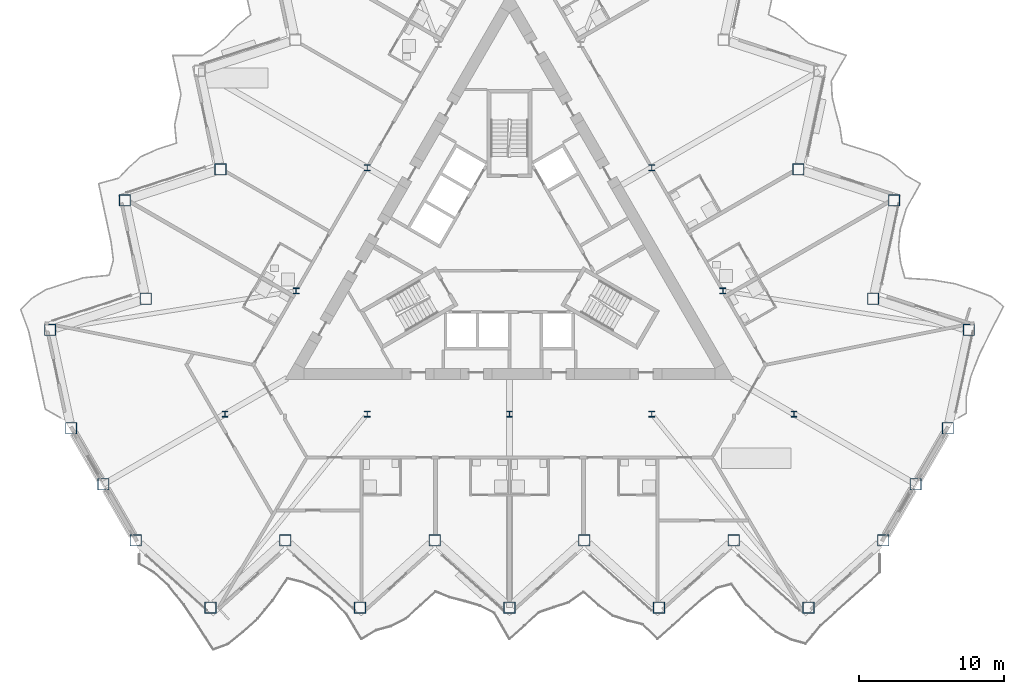
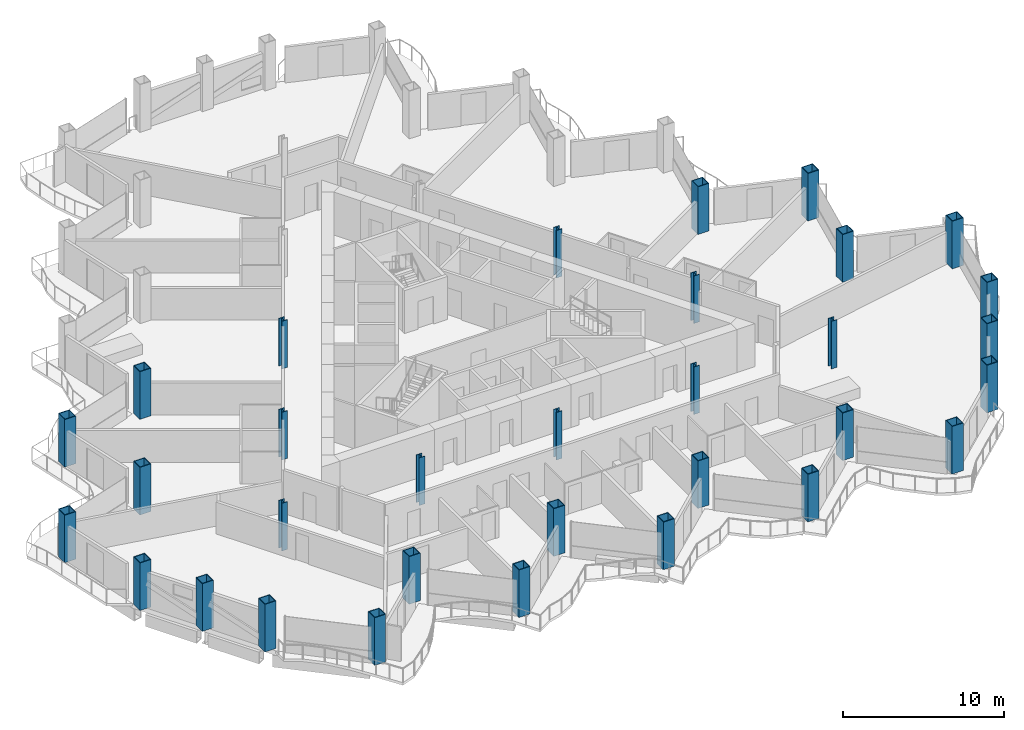
# One storey, part 1 of 23: 32 columns.
"""IFC4 building model written with IfcOpenShell, lengths in metres."""

from ifc_helpers import new_model, si_unit, direction, frame, origin, origin_2d, place, context, subcontext, project, spatial, hollow_rectangle, i_section, extrude, material, material_profile, profile_set, type_object, element, save


model = new_model("IFC4")

# Units and contexts
model_context = context("Model", 3, precision=1e-05, world=origin(), true_north=direction((0.0, 1.0)))
body_context = subcontext(model_context, "Body", "Model", "MODEL_VIEW")
ifc_project = project(units=[si_unit("LENGTHUNIT", "METRE"), si_unit("AREAUNIT", "SQUARE_METRE"), si_unit("VOLUMEUNIT", "CUBIC_METRE"), si_unit("PLANEANGLEUNIT", "RADIAN"), si_unit("MASSUNIT", "GRAM", prefix="KILO")], contexts=[model_context])

# Site, building, storey
site_placement = place(None, origin())
site = spatial("IfcSite", under=ifc_project, at=site_placement, CompositionType="ELEMENT")
building_placement = place(site_placement, origin())
building = spatial("IfcBuilding", under=site, at=building_placement, Name="Cormorant Prow Tower", CompositionType="ELEMENT")
storey_placement = place(building_placement, frame((0.0, 0.0, 169.199951171875)))
storey = spatial("IfcBuildingStorey", under=building, at=storey_placement, Name="L35", CompositionType="ELEMENT", Elevation=169.199951171875)

# Columns
ifc_material_1 = material(Name="Structural steel ASTM A572 Gr 50", Category="steel")
ifc_material_profile_1 = material_profile(ifc_material_1, hollow_rectangle(XDim=0.800048828125, YDim=0.800048828125, WallThickness=0.050048828125, at=origin_2d()), Name="Box 800x800x50")
ifc_profile_set_1 = profile_set([ifc_material_profile_1], Name="Structural steel ASTM A572 Gr 50")
column_type_1 = type_object("IfcColumnType", Name="Perimeter box column 800x800x50", PredefinedType="COLUMN", material=ifc_profile_set_1)
for number, where, z_axis, x_axis, name in (
    (1, (-25.823486328125, -20.0712890625, 0.0), (0.0, 0.0, 1.0), (1.0, 0.0, 0.0), "Perimeter column C4 at S00 L35"),
    (2, (-20.658935546875, -24.7216796875, 0.0), (0.0, 0.0, 1.0), (1.0, 0.0, 0.0), "Perimeter column C4 at S01 L35"),
    (3, (-15.494140625, -20.0712890625, 0.0), (0.0, 0.0, 1.0), (1.0, 0.0, 0.0), "Perimeter column C4 at S02 L35"),
    (4, (-10.329345703125, -24.7216796875, 0.0), (0.0, 0.0, 1.0), (1.0, 0.0, 0.0), "Perimeter column C4 at S03 L35"),
    (5, (-5.164794921875, -20.0712890625, 0.0), (0.0, 0.0, 1.0), (1.0, 0.0, 0.0), "Perimeter column C4 at S04 L35"),
    (6, (0.0, -24.7216796875, 0.0), (0.0, 0.0, 1.0), (1.0, 0.0, 0.0), "Perimeter column C4 at S05 L35"),
    (7, (5.164794921875, -20.0712890625, 0.0), (0.0, 0.0, 1.0), (1.0, 0.0, 0.0), "Perimeter column C4 at S06 L35"),
    (8, (10.329345703125, -24.7216796875, 0.0), (0.0, 0.0, 1.0), (1.0, 0.0, 0.0), "Perimeter column C4 at S07 L35"),
    (9, (15.494140625, -20.0712890625, 0.0), (0.0, 0.0, 1.0), (1.0, 0.0, 0.0), "Perimeter column C4 at S08 L35"),
    (10, (20.658935546875, -24.7216796875, 0.0), (0.0, 0.0, 1.0), (1.0, 0.0, 0.0), "Perimeter column C4 at S09 L35"),
    (11, (25.823486328125, -20.0712890625, 0.0), (0.0, 0.0, 1.0), (1.0, 0.0, 0.0), "Perimeter column C4 at ESE00 L35"),
    (12, (28.058837890625, -16.19970703125, 0.0), (0.0, 0.0, 1.0), (1.0, 0.0, 0.0), "Perimeter column C4 at ESE01 L35"),
    (13, (30.2939453125, -12.328369140625, 0.0), (0.0, 0.0, 1.0), (1.0, 0.0, 0.0), "Perimeter column C4 at ENE00 L35"),
    (14, (31.739013671875, -5.5302734375, 0.0), (0.0, 0.0, 1.0), (1.0, 0.0, 0.0), "Perimeter column C4 at ENE01 L35"),
    (15, (25.12939453125, -3.3828125, 0.0), (0.0, 0.0, 1.0), (1.0, 0.0, 0.0), "Perimeter column C4 at ENE02 L35"),
    (16, (26.57421875, 3.415283203125, 0.0), (0.0, 0.0, 1.0), (1.0, 0.0, 0.0), "Perimeter column C4 at ENE03 L35"),
    (17, (19.964599609375, 5.562744140625, 0.0), (0.0, 0.0, 1.0), (1.0, 0.0, 0.0), "Perimeter column C4 at ENE04 L35"),
    (18, (-19.964599609375, 5.562744140625, 0.0), (0.0, 0.0, 1.0), (1.0, 0.0, 0.0), "Perimeter column C4 at WNW06 L35"),
    (19, (-26.57421875, 3.415283203125, 0.0), (0.0, 0.0, 1.0), (1.0, 0.0, 0.0), "Perimeter column C4 at WNW07 L35"),
    (20, (-25.12939453125, -3.3828125, 0.0), (0.0, 0.0, 1.0), (1.0, 0.0, 0.0), "Perimeter column C4 at WNW08 L35"),
    (21, (-31.739013671875, -5.5302734375, 0.0), (0.0, 0.0, 1.0), (1.0, 0.0, 0.0), "Perimeter column C4 at WNW09 L35"),
    (22, (-30.2939453125, -12.328369140625, 0.0), (0.0, 0.0, 1.0), (1.0, 0.0, 0.0), "Perimeter column C4 at WSW00 L35"),
    (23, (-28.058837890625, -16.19970703125, 0.0), (0.0, 0.0, 1.0), (1.0, 0.0, 0.0), "Perimeter column C4 at WSW01 L35"),
):
    element("IfcColumn", number, at=place(storey_placement, frame(where, z_axis=z_axis, x_axis=x_axis)), inside=storey, type_object=column_type_1, Name=name, PredefinedType="COLUMN", context=body_context, shape_type="SweptSolid", body=[
        extrude(hollow_rectangle(XDim=0.800048828125, YDim=0.800048828125, WallThickness=0.050048828125, at=origin_2d()), origin(), (0.0, 0.0, 1.0), 3.60009765625),
    ])
ifc_material_2 = material(Name="Structural steel ASTM A992 Gr 50", Category="steel")
ifc_material_profile_2 = material_profile(ifc_material_2, i_section(OverallWidth=0.403564453125, OverallDepth=0.407470703125, WebThickness=0.027099609375, FlangeThickness=0.043701171875, at=origin_2d()), Name="W14x233")
ifc_profile_set_2 = profile_set([ifc_material_profile_2], Name="Structural steel ASTM A992 Gr 50")
column_type_2 = type_object("IfcColumnType", Name="Ring column W14x233", PredefinedType="COLUMN", material=ifc_profile_set_2)
for number, where, z_axis, x_axis, name in (
    (24, (-9.828369140625, 5.674560546875, 0.0), (0.0, 0.0, 1.0), (1.0, 0.0, 0.0), "Ring column 3 L35"),
    (25, (-14.74267578125, -2.837158203125, 0.0), (0.0, 0.0, 1.0), (1.0, 0.0, 0.0), "Ring column 4 L35"),
    (26, (-19.656982421875, -11.348876953125, 0.0), (0.0, 0.0, 1.0), (1.0, 0.0, 0.0), "Ring column 5 L35"),
    (27, (-9.828369140625, -11.348876953125, 0.0), (0.0, 0.0, 1.0), (1.0, 0.0, 0.0), "Ring column 6 L35"),
    (28, (0.0, -11.348876953125, 0.0), (0.0, 0.0, 1.0), (1.0, 0.0, 0.0), "Ring column 7 L35"),
    (29, (9.828369140625, -11.348876953125, 0.0), (0.0, 0.0, 1.0), (1.0, 0.0, 0.0), "Ring column 8 L35"),
    (30, (19.656982421875, -11.348876953125, 0.0), (0.0, 0.0, 1.0), (1.0, 0.0, 0.0), "Ring column 9 L35"),
    (31, (14.74267578125, -2.837158203125, 0.0), (0.0, 0.0, 1.0), (1.0, 0.0, 0.0), "Ring column 10 L35"),
    (32, (9.828369140625, 5.674560546875, 0.0), (0.0, 0.0, 1.0), (1.0, 0.0, 0.0), "Ring column 11 L35"),
):
    element("IfcColumn", number, at=place(storey_placement, frame(where, z_axis=z_axis, x_axis=x_axis)), inside=storey, type_object=column_type_2, Name=name, PredefinedType="COLUMN", context=body_context, shape_type="SweptSolid", body=[
        extrude(i_section(OverallWidth=0.403564453125, OverallDepth=0.407470703125, WebThickness=0.027099609375, FlangeThickness=0.043701171875, at=origin_2d()), origin(), (0.0, 0.0, 1.0), 3.60009765625),
    ])

save(model, "model.ifc")
